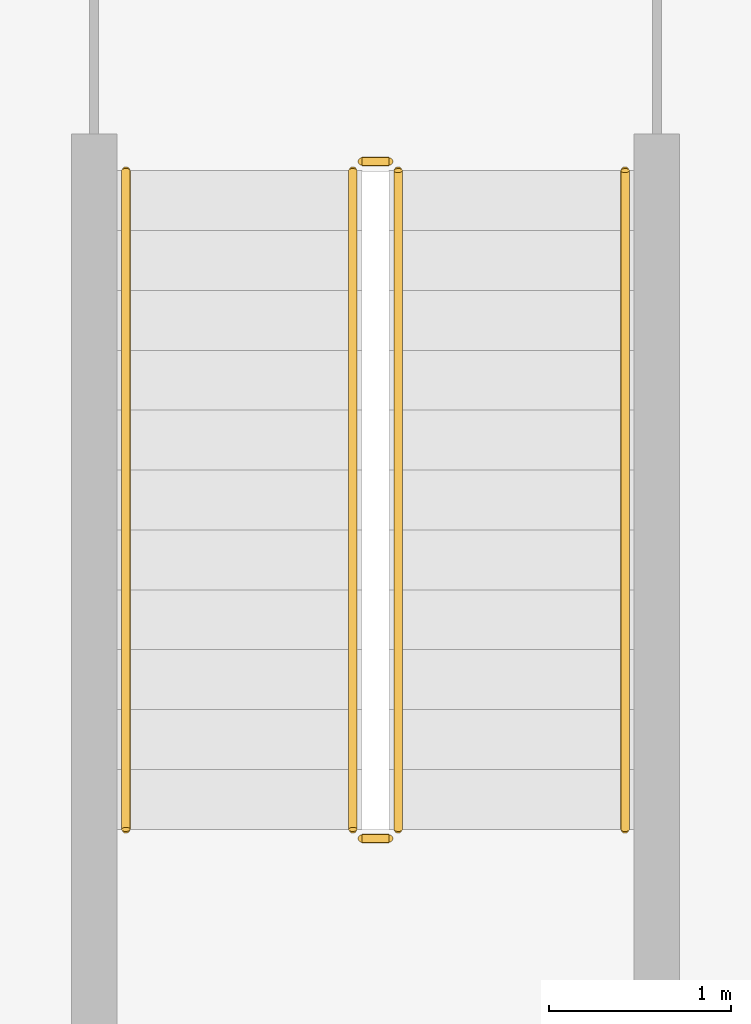
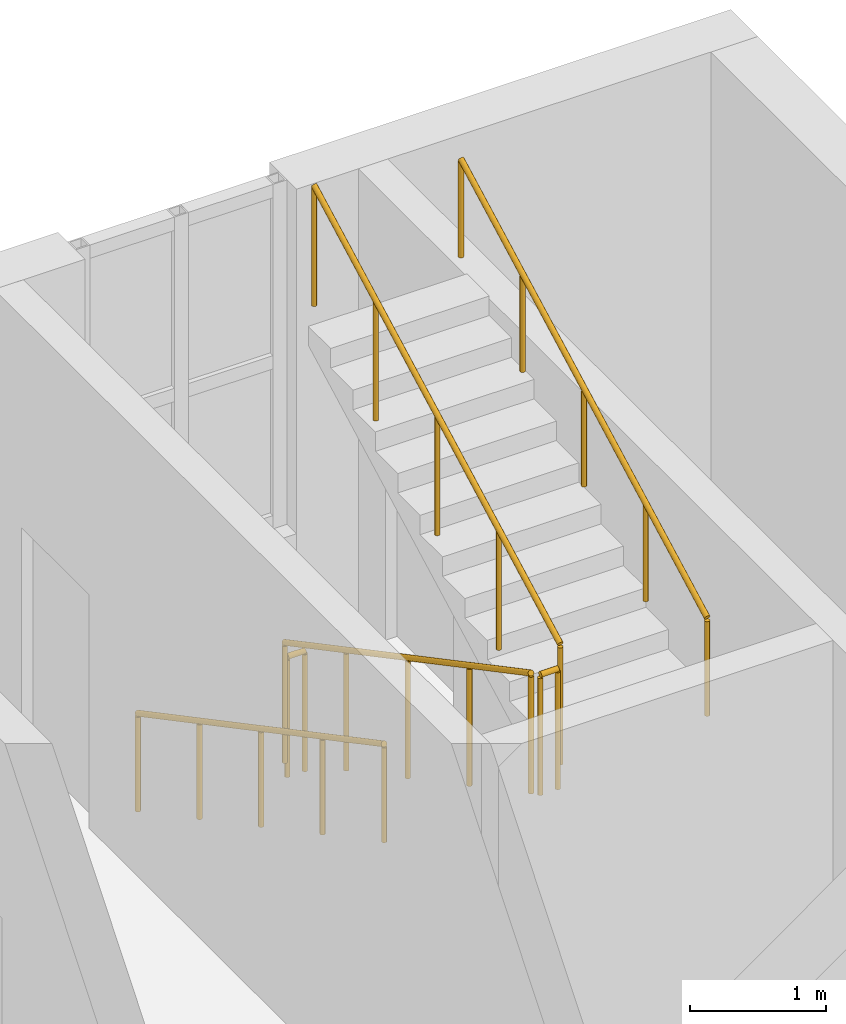
# One storey, part 152 of 154: 6 railings.
"""IFC4 building model written with IfcOpenShell, lengths in metres."""

from ifc_helpers import new_model, si_unit, direction, frame, origin, origin_2d, place, context, subcontext, project, spatial, circle, extrude, material, type_object, element, save


model = new_model("IFC4")

# Units and contexts
model_context = context("Model", 3, precision=1e-05, world=origin(), true_north=direction((0.0, 1.0)))
body_context = subcontext(model_context, "Body", "Model", "MODEL_VIEW")
ifc_project = project(units=[si_unit("LENGTHUNIT", "METRE"), si_unit("AREAUNIT", "SQUARE_METRE"), si_unit("VOLUMEUNIT", "CUBIC_METRE"), si_unit("PLANEANGLEUNIT", "RADIAN"), si_unit("MASSUNIT", "GRAM", prefix="KILO")], contexts=[model_context])

# Site, building, storey
site_placement = place(None, origin())
site = spatial("IfcSite", under=ifc_project, at=site_placement, CompositionType="ELEMENT")
building_placement = place(site_placement, origin())
building = spatial("IfcBuilding", under=site, at=building_placement, Name="Golden Quay Civic Hall", CompositionType="ELEMENT")
storey_placement = place(building_placement, frame((0.0, 0.0, 14.39990234375)))
storey = spatial("IfcBuildingStorey", under=building, at=storey_placement, Name="L03", CompositionType="ELEMENT", Elevation=14.39990234375)

# Railings
ifc_material_1 = material(Name="Steel S355", Category="steel")
railing_type_1 = type_object("IfcRailingType", Name="Steel guard 1100", PredefinedType="GUARDRAIL", material=ifc_material_1)
railing_1_placement = place(storey_placement, frame((103.25, 106.199951171875, 0.175048828125)))
element("IfcRailing", 1, at=railing_1_placement, inside=storey, type_object=railing_type_1, Name="L03 CB-NE stair guard 1", PredefinedType="GUARDRAIL", context=body_context, shape_type="SweptSolid", body=[
    extrude(circle(Radius=0.02392578125, at=origin_2d()), frame((0.0, 0.0, 1.076171875), z_axis=(0.0, -0.883450922709, 0.468523710355), x_axis=(1.0, 0.0, 0.0)), (0.0, 0.0, 1.0), 4.108642578125),
    extrude(circle(Radius=0.02099609375, at=origin_2d()), origin(), (0.0, 0.0, 1.0), 1.052001953125),
    extrude(circle(Radius=0.02099609375, at=origin_2d()), frame((0.0, -0.907470703125, 0.481201171875)), (0.0, 0.0, 1.0), 1.052001953125),
    extrude(circle(Radius=0.02099609375, at=origin_2d()), frame((0.0, -1.81494140625, 0.96240234375)), (0.0, 0.0, 1.0), 1.052001953125),
    extrude(circle(Radius=0.02099609375, at=origin_2d()), frame((0.0, -2.722412109375, 1.44384765625)), (0.0, 0.0, 1.0), 1.052001953125),
    extrude(circle(Radius=0.02099609375, at=origin_2d()), frame((0.0, -3.6298828125, 1.925048828125)), (0.0, 0.0, 1.0), 1.052001953125),
])
railing_2_placement = place(storey_placement, frame((103.300048828125, 102.52001953125, 2.10009765625)))
element("IfcRailing", 2, at=railing_2_placement, inside=storey, type_object=railing_type_1, Name="L03 CB-NE stair guard 2", PredefinedType="GUARDRAIL", context=body_context, shape_type="SweptSolid", body=[
    extrude(circle(Radius=0.02392578125, at=origin_2d()), frame((0.0, 0.0, 1.076171875), z_axis=(1.0, 0.0, 0.0), x_axis=(0.0, 1.0, 0.0)), (0.0, 0.0, 1.0), 0.14990234375),
    extrude(circle(Radius=0.02099609375, at=origin_2d()), origin(), (0.0, 0.0, 1.0), 1.052001953125),
    extrude(circle(Radius=0.02099609375, at=origin_2d()), frame((0.14990234375, 0.0, 0.0)), (0.0, 0.0, 1.0), 1.052001953125),
])
railing_3_placement = place(storey_placement, frame((103.5, 102.570068359375, 2.275146484375)))
element("IfcRailing", 3, at=railing_3_placement, inside=storey, type_object=railing_type_1, Name="L03 CB-NE stair guard 3", PredefinedType="GUARDRAIL", context=body_context, shape_type="SweptSolid", body=[
    extrude(circle(Radius=0.02392578125, at=origin_2d()), frame((0.0, 0.0, 1.076171875), z_axis=(0.0, 0.883450922709, 0.468523710355), x_axis=(-1.0, 0.0, 0.0)), (0.0, 0.0, 1.0), 4.108642578125),
    extrude(circle(Radius=0.02099609375, at=origin_2d()), origin(), (0.0, 0.0, 1.0), 1.052001953125),
    extrude(circle(Radius=0.02099609375, at=origin_2d()), frame((0.0, 0.907470703125, 0.481201171875)), (0.0, 0.0, 1.0), 1.052001953125),
    extrude(circle(Radius=0.02099609375, at=origin_2d()), frame((0.0, 1.81494140625, 0.96240234375)), (0.0, 0.0, 1.0), 1.052001953125),
    extrude(circle(Radius=0.02099609375, at=origin_2d()), frame((0.0, 2.722412109375, 1.44384765625)), (0.0, 0.0, 1.0), 1.052001953125),
    extrude(circle(Radius=0.02099609375, at=origin_2d()), frame((0.0, 3.6298828125, 1.925048828125)), (0.0, 0.0, 1.0), 1.052001953125),
])
railing_4_placement = place(storey_placement, frame((103.300048828125, 106.25, 0.0)))
element("IfcRailing", 4, at=railing_4_placement, inside=storey, type_object=railing_type_1, Name="L03 CB-NE stair guard 4", PredefinedType="GUARDRAIL", context=body_context, shape_type="SweptSolid", body=[
    extrude(circle(Radius=0.02392578125, at=origin_2d()), frame((0.0, 0.0, 1.076171875), z_axis=(1.0, 0.0, 0.0), x_axis=(0.0, 1.0, 0.0)), (0.0, 0.0, 1.0), 0.14990234375),
    extrude(circle(Radius=0.02099609375, at=origin_2d()), origin(), (0.0, 0.0, 1.0), 1.052001953125),
    extrude(circle(Radius=0.02099609375, at=origin_2d()), frame((0.14990234375, 0.0, 0.0)), (0.0, 0.0, 1.0), 1.052001953125),
])
ifc_material_2 = material(Name="Steel S355", Category="steel")
railing_type_2 = type_object("IfcRailingType", Name="Steel handrail 900", PredefinedType="HANDRAIL", material=ifc_material_2)
railing_5_placement = place(storey_placement, frame((102.0, 106.199951171875, 0.175048828125)))
element("IfcRailing", 5, at=railing_5_placement, inside=storey, type_object=railing_type_2, Name="L03 CB-NE stair handrail 1", PredefinedType="HANDRAIL", context=body_context, shape_type="SweptSolid", body=[
    extrude(circle(Radius=0.02392578125, at=origin_2d()), frame((0.0, 0.0, 0.8759765625), z_axis=(0.0, -0.883450922709, 0.468523710355), x_axis=(1.0, 0.0, 0.0)), (0.0, 0.0, 1.0), 4.108642578125),
    extrude(circle(Radius=0.02099609375, at=origin_2d()), origin(), (0.0, 0.0, 1.0), 0.851806640625),
    extrude(circle(Radius=0.02099609375, at=origin_2d()), frame((0.0, -0.907470703125, 0.481201171875)), (0.0, 0.0, 1.0), 0.851806640625),
    extrude(circle(Radius=0.02099609375, at=origin_2d()), frame((0.0, -1.81494140625, 0.96240234375)), (0.0, 0.0, 1.0), 0.851806640625),
    extrude(circle(Radius=0.02099609375, at=origin_2d()), frame((0.0, -2.722412109375, 1.44384765625)), (0.0, 0.0, 1.0), 0.851806640625),
    extrude(circle(Radius=0.02099609375, at=origin_2d()), frame((0.0, -3.6298828125, 1.925048828125)), (0.0, 0.0, 1.0), 0.851806640625),
])
railing_6_placement = place(storey_placement, frame((104.75, 102.570068359375, 2.275146484375)))
element("IfcRailing", 6, at=railing_6_placement, inside=storey, type_object=railing_type_2, Name="L03 CB-NE stair handrail 2", PredefinedType="HANDRAIL", context=body_context, shape_type="SweptSolid", body=[
    extrude(circle(Radius=0.02392578125, at=origin_2d()), frame((0.0, 0.0, 0.8759765625), z_axis=(0.0, 0.883450922709, 0.468523710355), x_axis=(-1.0, 0.0, 0.0)), (0.0, 0.0, 1.0), 4.108642578125),
    extrude(circle(Radius=0.02099609375, at=origin_2d()), origin(), (0.0, 0.0, 1.0), 0.851806640625),
    extrude(circle(Radius=0.02099609375, at=origin_2d()), frame((0.0, 0.907470703125, 0.481201171875)), (0.0, 0.0, 1.0), 0.851806640625),
    extrude(circle(Radius=0.02099609375, at=origin_2d()), frame((0.0, 1.81494140625, 0.96240234375)), (0.0, 0.0, 1.0), 0.851806640625),
    extrude(circle(Radius=0.02099609375, at=origin_2d()), frame((0.0, 2.722412109375, 1.44384765625)), (0.0, 0.0, 1.0), 0.851806640625),
    extrude(circle(Radius=0.02099609375, at=origin_2d()), frame((0.0, 3.6298828125, 1.925048828125)), (0.0, 0.0, 1.0), 0.851806640625),
])

save(model, "model.ifc")
